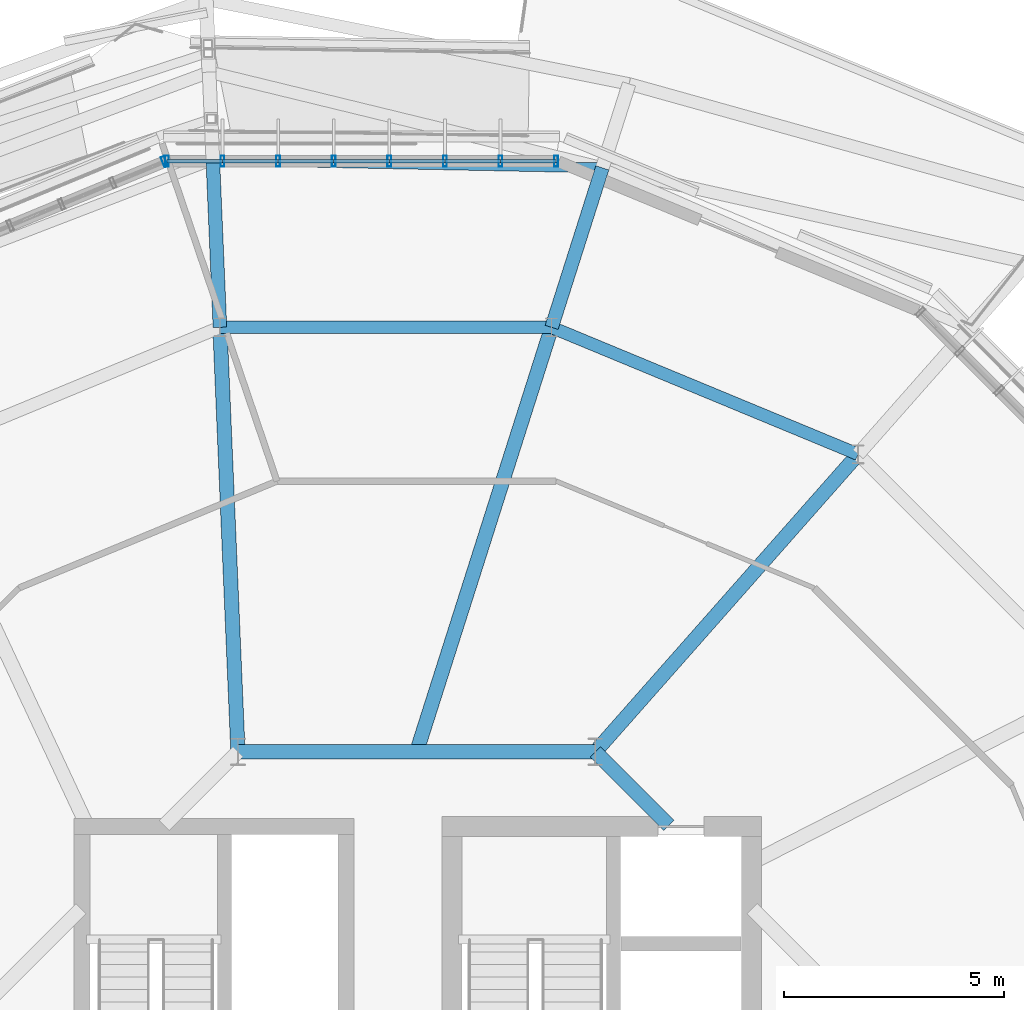
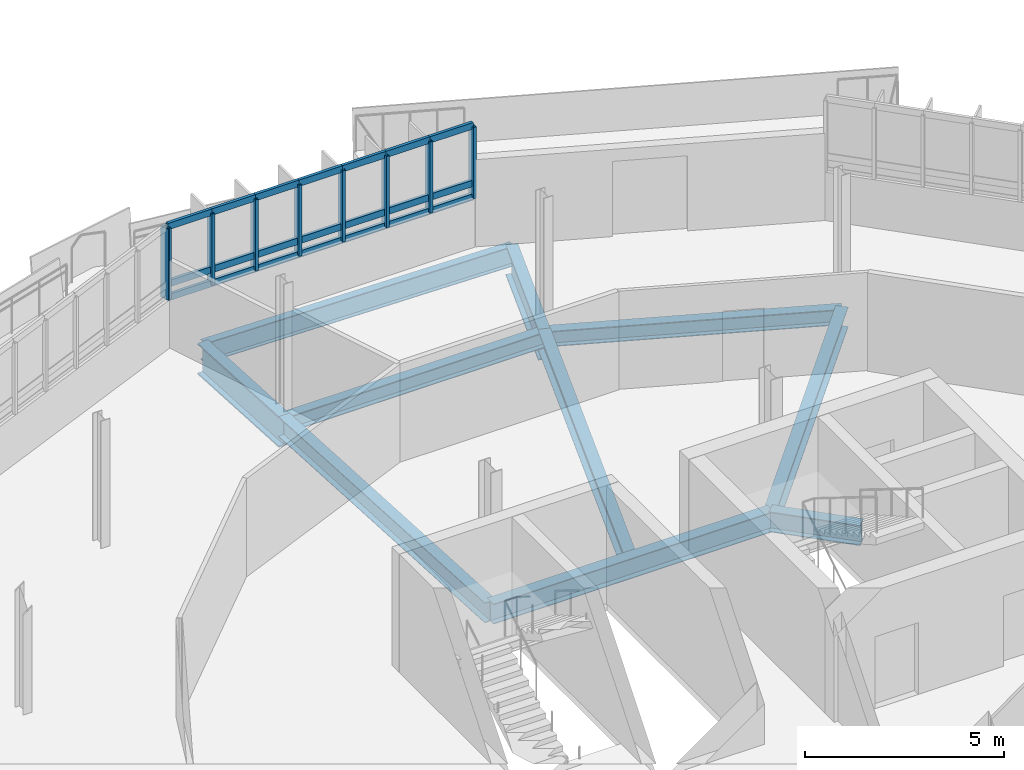
# One storey, part 27 of 61: 30 members, 10 beams, 2 elements without a shape of their own.
"""IFC4 building model written with IfcOpenShell, lengths in metres."""

from ifc_helpers import new_model, si_unit, derived_unit, direction, frame, origin, origin_2d, place, context, subcontext, project, spatial, hollow_rectangle, i_section, extrude, material, layer, layer_set, material_profile, profile_set, type_object, element, aggregate, save


model = new_model("IFC4")

# Units and contexts
model_context = context("Model", 3, precision=1e-05, world=origin(), true_north=direction((0.0, 1.0)))
body_context = subcontext(model_context, "Body", "Model", "MODEL_VIEW")
ifc_project = project(units=[si_unit("LENGTHUNIT", "METRE"), si_unit("AREAUNIT", "SQUARE_METRE"), si_unit("VOLUMEUNIT", "CUBIC_METRE"), si_unit("PLANEANGLEUNIT", "RADIAN"), si_unit("MASSUNIT", "GRAM", prefix="KILO"), derived_unit("THERMALTRANSMITTANCEUNIT", [(si_unit("MASSUNIT", "GRAM", prefix="KILO"), 1), (si_unit("TIMEUNIT", "SECOND"), -3), (si_unit("THERMODYNAMICTEMPERATUREUNIT", "KELVIN"), -1)])], contexts=[model_context])

# Site, building, storey
site_placement = place(None, origin())
site = spatial("IfcSite", under=ifc_project, at=site_placement, CompositionType="ELEMENT")
building_placement = place(site_placement, origin())
building = spatial("IfcBuilding", under=site, at=building_placement, Name="Makaiwela Harbour Ferry Terminal", CompositionType="ELEMENT")
storey_placement = place(building_placement, frame((0.0, 0.0, 13.800048828125)))
storey = spatial("IfcBuildingStorey", under=building, at=storey_placement, Name="L03", CompositionType="ELEMENT", Elevation=13.800048828125)

# Curtain wall, members
ifc_material_1 = material(Name="Marine anodised aluminium 6063-T6", Category="aluminium")
ifc_layer = layer(ifc_material_1, 0.199951171875)
ifc_layer_set = layer_set([ifc_layer], Name="Marine anodised aluminium 6063-T6")
curtain_wall_type = type_object("IfcCurtainWallType", Name="ENV-CW-05", PredefinedType="USERDEFINED", material=ifc_layer_set)
curtain_wall_1_placement = place(storey_placement, origin())
curtain_wall_1 = element("IfcCurtainWall", 1, at=curtain_wall_1_placement, inside=storey, type_object=curtain_wall_type, Name="Unitised Curtain Wall CWA-031", ObjectType="UNITIZED CURTAIN WALL", PredefinedType="USERDEFINED")
ifc_material_profile_1 = material_profile(ifc_material_1, hollow_rectangle(XDim=0.0849609375, YDim=0.25, WallThickness=0.0048828125, at=origin_2d()), Name="CWM-250X85")
ifc_profile_set_1 = profile_set([ifc_material_profile_1], Name="Marine anodised aluminium 6063-T6")
member_type_1 = type_object("IfcMemberType", Name="CW-MUL-250", PredefinedType="MULLION", material=ifc_profile_set_1)
member_1_placement = place(storey_placement, frame((40.968017578125, 90.802001953125, 1.47998046875), z_axis=(0.0, 0.0, 1.0), x_axis=(1.0, 0.0, 0.0)))
member_1 = element("IfcMember", 2, at=member_1_placement, type_object=member_type_1, Name="Curtain Wall Mullion CWA-031-1", PredefinedType="MULLION", context=body_context, shape_type="SweptSolid", body=[
    extrude(hollow_rectangle(XDim=0.0849609375, YDim=0.25, WallThickness=0.0048828125, at=origin_2d()), origin(), (0.0, 0.0, 1.0), 2.179931640625),
])
member_2_placement = place(storey_placement, frame((39.705810546875, 90.802001953125, 1.47998046875), z_axis=(0.0, 0.0, 1.0), x_axis=(1.0, 0.0, 0.0)))
member_2 = element("IfcMember", 3, at=member_2_placement, type_object=member_type_1, Name="Curtain Wall Mullion CWA-031-2", PredefinedType="MULLION", context=body_context, shape_type="SweptSolid", body=[
    extrude(hollow_rectangle(XDim=0.0849609375, YDim=0.25, WallThickness=0.0048828125, at=origin_2d()), origin(), (0.0, 0.0, 1.0), 2.179931640625),
])
member_3_placement = place(storey_placement, frame((38.443603515625, 90.802001953125, 1.47998046875), z_axis=(0.0, 0.0, 1.0), x_axis=(1.0, 0.0, 0.0)))
member_3 = element("IfcMember", 4, at=member_3_placement, type_object=member_type_1, Name="Curtain Wall Mullion CWA-031-3", PredefinedType="MULLION", context=body_context, shape_type="SweptSolid", body=[
    extrude(hollow_rectangle(XDim=0.0849609375, YDim=0.25, WallThickness=0.0048828125, at=origin_2d()), origin(), (0.0, 0.0, 1.0), 2.179931640625),
])
member_4_placement = place(storey_placement, frame((37.18115234375, 90.802001953125, 1.47998046875), z_axis=(0.0, 0.0, 1.0), x_axis=(1.0, 0.0, 0.0)))
member_4 = element("IfcMember", 5, at=member_4_placement, type_object=member_type_1, Name="Curtain Wall Mullion CWA-031-4", PredefinedType="MULLION", context=body_context, shape_type="SweptSolid", body=[
    extrude(hollow_rectangle(XDim=0.0849609375, YDim=0.25, WallThickness=0.0048828125, at=origin_2d()), origin(), (0.0, 0.0, 1.0), 2.179931640625),
])
member_5_placement = place(storey_placement, frame((35.918701171875, 90.802001953125, 1.47998046875), z_axis=(0.0, 0.0, 1.0), x_axis=(1.0, 0.0, 0.0)))
member_5 = element("IfcMember", 6, at=member_5_placement, type_object=member_type_1, Name="Curtain Wall Mullion CWA-031-5", PredefinedType="MULLION", context=body_context, shape_type="SweptSolid", body=[
    extrude(hollow_rectangle(XDim=0.0849609375, YDim=0.25, WallThickness=0.0048828125, at=origin_2d()), origin(), (0.0, 0.0, 1.0), 2.179931640625),
])
member_6_placement = place(storey_placement, frame((34.656494140625, 90.802001953125, 1.47998046875), z_axis=(0.0, 0.0, 1.0), x_axis=(1.0, 0.0, 0.0)))
member_6 = element("IfcMember", 7, at=member_6_placement, type_object=member_type_1, Name="Curtain Wall Mullion CWA-031-6", PredefinedType="MULLION", context=body_context, shape_type="SweptSolid", body=[
    extrude(hollow_rectangle(XDim=0.0849609375, YDim=0.25, WallThickness=0.0048828125, at=origin_2d()), origin(), (0.0, 0.0, 1.0), 2.179931640625),
])
member_7_placement = place(storey_placement, frame((33.394287109375, 90.802001953125, 1.47998046875), z_axis=(0.0, 0.0, 1.0), x_axis=(1.0, 0.0, 0.0)))
member_7 = element("IfcMember", 8, at=member_7_placement, type_object=member_type_1, Name="Curtain Wall Mullion CWA-031-7", PredefinedType="MULLION", context=body_context, shape_type="SweptSolid", body=[
    extrude(hollow_rectangle(XDim=0.0849609375, YDim=0.25, WallThickness=0.0048828125, at=origin_2d()), origin(), (0.0, 0.0, 1.0), 2.179931640625),
])
member_8_placement = place(storey_placement, frame((32.1318359375, 90.802001953125, 1.47998046875), z_axis=(0.0, 0.0, 1.0), x_axis=(1.0, 0.0, 0.0)))
member_8 = element("IfcMember", 9, at=member_8_placement, type_object=member_type_1, Name="Curtain Wall Mullion CWA-031-8", PredefinedType="MULLION", context=body_context, shape_type="SweptSolid", body=[
    extrude(hollow_rectangle(XDim=0.0849609375, YDim=0.25, WallThickness=0.0048828125, at=origin_2d()), origin(), (0.0, 0.0, 1.0), 2.179931640625),
])

# Curtain wall, member
curtain_wall_2_placement = place(storey_placement, origin())
curtain_wall_2 = element("IfcCurtainWall", 10, at=curtain_wall_2_placement, inside=storey, type_object=curtain_wall_type, Name="Unitised Curtain Wall CWA-032", ObjectType="UNITIZED CURTAIN WALL", PredefinedType="USERDEFINED")
member_9_placement = place(storey_placement, frame((32.07421875, 90.790283203125, 1.47998046875), z_axis=(0.0, 0.0, 1.0), x_axis=(0.923879532511, 0.382683432365, 0.0)))
member_9 = element("IfcMember", 11, at=member_9_placement, type_object=member_type_1, Name="Curtain Wall Mullion CWA-032-1", PredefinedType="MULLION", context=body_context, shape_type="SweptSolid", body=[
    extrude(hollow_rectangle(XDim=0.0849609375, YDim=0.25, WallThickness=0.0048828125, at=origin_2d()), origin(), (0.0, 0.0, 1.0), 2.179931640625),
])
aggregate(curtain_wall_2, [member_9])

# Member
ifc_material_profile_2 = material_profile(ifc_material_1, hollow_rectangle(XDim=0.0849609375, YDim=0.199951171875, WallThickness=0.0048828125, at=origin_2d()), Name="CWT-200X85")
ifc_profile_set_2 = profile_set([ifc_material_profile_2], Name="Marine anodised aluminium 6063-T6")
member_type_2 = type_object("IfcMemberType", Name="CW-TRN-200", PredefinedType="USERDEFINED", material=ifc_profile_set_2)
member_10_placement = place(storey_placement, frame((40.968017578125, 90.802001953125, 1.47998046875), z_axis=(-1.0, 0.0, 0.0), x_axis=(0.0, -1.0, 0.0)))
member_10 = element("IfcMember", 12, at=member_10_placement, type_object=member_type_2, Name="Curtain Wall Transom CWA-031-1-1", ObjectType="TRANSOM", PredefinedType="USERDEFINED", context=body_context, shape_type="SweptSolid", body=[
    extrude(hollow_rectangle(XDim=0.0849609375, YDim=0.199951171875, WallThickness=0.0048828125, at=origin_2d()), origin(), (0.0, 0.0, 1.0), 1.26220703125),
])

member_11_placement = place(storey_placement, frame((40.968017578125, 90.802001953125, 1.89990234375), z_axis=(-1.0, 0.0, 0.0), x_axis=(0.0, -1.0, 0.0)))
member_11 = element("IfcMember", 13, at=member_11_placement, type_object=member_type_2, Name="Curtain Wall Transom CWA-031-1-2", ObjectType="TRANSOM", PredefinedType="USERDEFINED", context=body_context, shape_type="SweptSolid", body=[
    extrude(hollow_rectangle(XDim=0.0849609375, YDim=0.199951171875, WallThickness=0.0048828125, at=origin_2d()), origin(), (0.0, 0.0, 1.0), 1.26220703125),
])

member_12_placement = place(storey_placement, frame((40.968017578125, 90.802001953125, 3.659912109375), z_axis=(-1.0, 0.0, 0.0), x_axis=(0.0, -1.0, 0.0)))
member_12 = element("IfcMember", 14, at=member_12_placement, type_object=member_type_2, Name="Curtain Wall Transom CWA-031-1-3", ObjectType="TRANSOM", PredefinedType="USERDEFINED", context=body_context, shape_type="SweptSolid", body=[
    extrude(hollow_rectangle(XDim=0.0849609375, YDim=0.199951171875, WallThickness=0.0048828125, at=origin_2d()), origin(), (0.0, 0.0, 1.0), 1.26220703125),
])

member_13_placement = place(storey_placement, frame((39.705810546875, 90.802001953125, 1.47998046875), z_axis=(-1.0, 0.0, 0.0), x_axis=(0.0, -1.0, 0.0)))
member_13 = element("IfcMember", 15, at=member_13_placement, type_object=member_type_2, Name="Curtain Wall Transom CWA-031-2-1", ObjectType="TRANSOM", PredefinedType="USERDEFINED", context=body_context, shape_type="SweptSolid", body=[
    extrude(hollow_rectangle(XDim=0.0849609375, YDim=0.199951171875, WallThickness=0.0048828125, at=origin_2d()), origin(), (0.0, 0.0, 1.0), 1.26220703125),
])

member_14_placement = place(storey_placement, frame((39.705810546875, 90.802001953125, 1.89990234375), z_axis=(-1.0, 0.0, 0.0), x_axis=(0.0, -1.0, 0.0)))
member_14 = element("IfcMember", 16, at=member_14_placement, type_object=member_type_2, Name="Curtain Wall Transom CWA-031-2-2", ObjectType="TRANSOM", PredefinedType="USERDEFINED", context=body_context, shape_type="SweptSolid", body=[
    extrude(hollow_rectangle(XDim=0.0849609375, YDim=0.199951171875, WallThickness=0.0048828125, at=origin_2d()), origin(), (0.0, 0.0, 1.0), 1.26220703125),
])

member_15_placement = place(storey_placement, frame((39.705810546875, 90.802001953125, 3.659912109375), z_axis=(-1.0, 0.0, 0.0), x_axis=(0.0, -1.0, 0.0)))
member_15 = element("IfcMember", 17, at=member_15_placement, type_object=member_type_2, Name="Curtain Wall Transom CWA-031-2-3", ObjectType="TRANSOM", PredefinedType="USERDEFINED", context=body_context, shape_type="SweptSolid", body=[
    extrude(hollow_rectangle(XDim=0.0849609375, YDim=0.199951171875, WallThickness=0.0048828125, at=origin_2d()), origin(), (0.0, 0.0, 1.0), 1.26220703125),
])

member_16_placement = place(storey_placement, frame((38.443603515625, 90.802001953125, 1.47998046875), z_axis=(-1.0, 0.0, 0.0), x_axis=(0.0, -1.0, 0.0)))
member_16 = element("IfcMember", 18, at=member_16_placement, type_object=member_type_2, Name="Curtain Wall Transom CWA-031-3-1", ObjectType="TRANSOM", PredefinedType="USERDEFINED", context=body_context, shape_type="SweptSolid", body=[
    extrude(hollow_rectangle(XDim=0.0849609375, YDim=0.199951171875, WallThickness=0.0048828125, at=origin_2d()), origin(), (0.0, 0.0, 1.0), 1.262451171875),
])

member_17_placement = place(storey_placement, frame((38.443603515625, 90.802001953125, 1.89990234375), z_axis=(-1.0, 0.0, 0.0), x_axis=(0.0, -1.0, 0.0)))
member_17 = element("IfcMember", 19, at=member_17_placement, type_object=member_type_2, Name="Curtain Wall Transom CWA-031-3-2", ObjectType="TRANSOM", PredefinedType="USERDEFINED", context=body_context, shape_type="SweptSolid", body=[
    extrude(hollow_rectangle(XDim=0.0849609375, YDim=0.199951171875, WallThickness=0.0048828125, at=origin_2d()), origin(), (0.0, 0.0, 1.0), 1.262451171875),
])

member_18_placement = place(storey_placement, frame((38.443603515625, 90.802001953125, 3.659912109375), z_axis=(-1.0, 0.0, 0.0), x_axis=(0.0, -1.0, 0.0)))
member_18 = element("IfcMember", 20, at=member_18_placement, type_object=member_type_2, Name="Curtain Wall Transom CWA-031-3-3", ObjectType="TRANSOM", PredefinedType="USERDEFINED", context=body_context, shape_type="SweptSolid", body=[
    extrude(hollow_rectangle(XDim=0.0849609375, YDim=0.199951171875, WallThickness=0.0048828125, at=origin_2d()), origin(), (0.0, 0.0, 1.0), 1.262451171875),
])

member_19_placement = place(storey_placement, frame((37.18115234375, 90.802001953125, 1.47998046875), z_axis=(-1.0, 0.0, 0.0), x_axis=(0.0, -1.0, 0.0)))
member_19 = element("IfcMember", 21, at=member_19_placement, type_object=member_type_2, Name="Curtain Wall Transom CWA-031-4-1", ObjectType="TRANSOM", PredefinedType="USERDEFINED", context=body_context, shape_type="SweptSolid", body=[
    extrude(hollow_rectangle(XDim=0.0849609375, YDim=0.199951171875, WallThickness=0.0048828125, at=origin_2d()), origin(), (0.0, 0.0, 1.0), 1.262451171875),
])

member_20_placement = place(storey_placement, frame((37.18115234375, 90.802001953125, 1.89990234375), z_axis=(-1.0, 0.0, 0.0), x_axis=(0.0, -1.0, 0.0)))
member_20 = element("IfcMember", 22, at=member_20_placement, type_object=member_type_2, Name="Curtain Wall Transom CWA-031-4-2", ObjectType="TRANSOM", PredefinedType="USERDEFINED", context=body_context, shape_type="SweptSolid", body=[
    extrude(hollow_rectangle(XDim=0.0849609375, YDim=0.199951171875, WallThickness=0.0048828125, at=origin_2d()), origin(), (0.0, 0.0, 1.0), 1.262451171875),
])

member_21_placement = place(storey_placement, frame((37.18115234375, 90.802001953125, 3.659912109375), z_axis=(-1.0, 0.0, 0.0), x_axis=(0.0, -1.0, 0.0)))
member_21 = element("IfcMember", 23, at=member_21_placement, type_object=member_type_2, Name="Curtain Wall Transom CWA-031-4-3", ObjectType="TRANSOM", PredefinedType="USERDEFINED", context=body_context, shape_type="SweptSolid", body=[
    extrude(hollow_rectangle(XDim=0.0849609375, YDim=0.199951171875, WallThickness=0.0048828125, at=origin_2d()), origin(), (0.0, 0.0, 1.0), 1.262451171875),
])

member_22_placement = place(storey_placement, frame((35.918701171875, 90.802001953125, 1.47998046875), z_axis=(-1.0, 0.0, 0.0), x_axis=(0.0, -1.0, 0.0)))
member_22 = element("IfcMember", 24, at=member_22_placement, type_object=member_type_2, Name="Curtain Wall Transom CWA-031-5-1", ObjectType="TRANSOM", PredefinedType="USERDEFINED", context=body_context, shape_type="SweptSolid", body=[
    extrude(hollow_rectangle(XDim=0.0849609375, YDim=0.199951171875, WallThickness=0.0048828125, at=origin_2d()), origin(), (0.0, 0.0, 1.0), 1.26220703125),
])

member_23_placement = place(storey_placement, frame((35.918701171875, 90.802001953125, 1.89990234375), z_axis=(-1.0, 0.0, 0.0), x_axis=(0.0, -1.0, 0.0)))
member_23 = element("IfcMember", 25, at=member_23_placement, type_object=member_type_2, Name="Curtain Wall Transom CWA-031-5-2", ObjectType="TRANSOM", PredefinedType="USERDEFINED", context=body_context, shape_type="SweptSolid", body=[
    extrude(hollow_rectangle(XDim=0.0849609375, YDim=0.199951171875, WallThickness=0.0048828125, at=origin_2d()), origin(), (0.0, 0.0, 1.0), 1.26220703125),
])

member_24_placement = place(storey_placement, frame((35.918701171875, 90.802001953125, 3.659912109375), z_axis=(-1.0, 0.0, 0.0), x_axis=(0.0, -1.0, 0.0)))
member_24 = element("IfcMember", 26, at=member_24_placement, type_object=member_type_2, Name="Curtain Wall Transom CWA-031-5-3", ObjectType="TRANSOM", PredefinedType="USERDEFINED", context=body_context, shape_type="SweptSolid", body=[
    extrude(hollow_rectangle(XDim=0.0849609375, YDim=0.199951171875, WallThickness=0.0048828125, at=origin_2d()), origin(), (0.0, 0.0, 1.0), 1.26220703125),
])

member_25_placement = place(storey_placement, frame((34.656494140625, 90.802001953125, 1.47998046875), z_axis=(-1.0, 0.0, 0.0), x_axis=(0.0, -1.0, 0.0)))
member_25 = element("IfcMember", 27, at=member_25_placement, type_object=member_type_2, Name="Curtain Wall Transom CWA-031-6-1", ObjectType="TRANSOM", PredefinedType="USERDEFINED", context=body_context, shape_type="SweptSolid", body=[
    extrude(hollow_rectangle(XDim=0.0849609375, YDim=0.199951171875, WallThickness=0.0048828125, at=origin_2d()), origin(), (0.0, 0.0, 1.0), 1.26220703125),
])

member_26_placement = place(storey_placement, frame((34.656494140625, 90.802001953125, 1.89990234375), z_axis=(-1.0, 0.0, 0.0), x_axis=(0.0, -1.0, 0.0)))
member_26 = element("IfcMember", 28, at=member_26_placement, type_object=member_type_2, Name="Curtain Wall Transom CWA-031-6-2", ObjectType="TRANSOM", PredefinedType="USERDEFINED", context=body_context, shape_type="SweptSolid", body=[
    extrude(hollow_rectangle(XDim=0.0849609375, YDim=0.199951171875, WallThickness=0.0048828125, at=origin_2d()), origin(), (0.0, 0.0, 1.0), 1.26220703125),
])

member_27_placement = place(storey_placement, frame((34.656494140625, 90.802001953125, 3.659912109375), z_axis=(-1.0, 0.0, 0.0), x_axis=(0.0, -1.0, 0.0)))
member_27 = element("IfcMember", 29, at=member_27_placement, type_object=member_type_2, Name="Curtain Wall Transom CWA-031-6-3", ObjectType="TRANSOM", PredefinedType="USERDEFINED", context=body_context, shape_type="SweptSolid", body=[
    extrude(hollow_rectangle(XDim=0.0849609375, YDim=0.199951171875, WallThickness=0.0048828125, at=origin_2d()), origin(), (0.0, 0.0, 1.0), 1.26220703125),
])

member_28_placement = place(storey_placement, frame((33.394287109375, 90.802001953125, 1.47998046875), z_axis=(-1.0, 0.0, 0.0), x_axis=(0.0, -1.0, 0.0)))
member_28 = element("IfcMember", 30, at=member_28_placement, type_object=member_type_2, Name="Curtain Wall Transom CWA-031-7-1", ObjectType="TRANSOM", PredefinedType="USERDEFINED", context=body_context, shape_type="SweptSolid", body=[
    extrude(hollow_rectangle(XDim=0.0849609375, YDim=0.199951171875, WallThickness=0.0048828125, at=origin_2d()), origin(), (0.0, 0.0, 1.0), 1.262451171875),
])

member_29_placement = place(storey_placement, frame((33.394287109375, 90.802001953125, 1.89990234375), z_axis=(-1.0, 0.0, 0.0), x_axis=(0.0, -1.0, 0.0)))
member_29 = element("IfcMember", 31, at=member_29_placement, type_object=member_type_2, Name="Curtain Wall Transom CWA-031-7-2", ObjectType="TRANSOM", PredefinedType="USERDEFINED", context=body_context, shape_type="SweptSolid", body=[
    extrude(hollow_rectangle(XDim=0.0849609375, YDim=0.199951171875, WallThickness=0.0048828125, at=origin_2d()), origin(), (0.0, 0.0, 1.0), 1.262451171875),
])

member_30_placement = place(storey_placement, frame((33.394287109375, 90.802001953125, 3.659912109375), z_axis=(-1.0, 0.0, 0.0), x_axis=(0.0, -1.0, 0.0)))
member_30 = element("IfcMember", 32, at=member_30_placement, type_object=member_type_2, Name="Curtain Wall Transom CWA-031-7-3", ObjectType="TRANSOM", PredefinedType="USERDEFINED", context=body_context, shape_type="SweptSolid", body=[
    extrude(hollow_rectangle(XDim=0.0849609375, YDim=0.199951171875, WallThickness=0.0048828125, at=origin_2d()), origin(), (0.0, 0.0, 1.0), 1.262451171875),
])

aggregate(curtain_wall_1, [member_1, member_2, member_3, member_4, member_5, member_6, member_7, member_8, member_10, member_11, member_12, member_13, member_14, member_15, member_16, member_17, member_18, member_19, member_20, member_21, member_22, member_23, member_24, member_25, member_26, member_27, member_28, member_29, member_30])

# Beams
ifc_material_2 = material(Name="Steel ASTM A992 Grade 50", Category="steel")
ifc_material_profile_3 = material_profile(ifc_material_2, i_section(OverallWidth=0.324951171875, OverallDepth=0.615966796875, WebThickness=0.013916015625, FlangeThickness=0.021484375, at=origin_2d()), Name="W24X117")
ifc_profile_set_3 = profile_set([ifc_material_profile_3], Name="Steel ASTM A992 Grade 50")
beam_type_1 = type_object("IfcBeamType", Name="STR-GRD-W24X117", PredefinedType="USERDEFINED", material=ifc_profile_set_3)
beam_1_placement = place(storey_placement, frame((43.529541015625, 75.719970703125, -0.56298828125), z_axis=(-0.707106781187, 0.707106781187, 0.0), x_axis=(-0.707106781187, -0.707106781187, 0.0)))
element("IfcBeam", 33, at=beam_1_placement, inside=storey, type_object=beam_type_1, Name="Drum inner ring girder 245", ObjectType="GIRDER", PredefinedType="USERDEFINED", context=body_context, shape_type="SweptSolid", body=[
    extrude(i_section(OverallWidth=0.324951171875, OverallDepth=0.615966796875, WebThickness=0.013916015625, FlangeThickness=0.021484375, at=origin_2d()), origin(), (0.0, 0.0, 1.0), 2.3662109375),
])
beam_2_placement = place(storey_placement, frame((41.8564453125, 77.39306640625, -0.56298828125), z_axis=(-1.0, 0.0, 0.0), x_axis=(0.0, -1.0, 0.0)))
element("IfcBeam", 34, at=beam_2_placement, inside=storey, type_object=beam_type_1, Name="Drum inner ring girder 246", ObjectType="GIRDER", PredefinedType="USERDEFINED", context=body_context, shape_type="SweptSolid", body=[
    extrude(i_section(OverallWidth=0.324951171875, OverallDepth=0.615966796875, WebThickness=0.013916015625, FlangeThickness=0.021484375, at=origin_2d()), origin(), (0.0, 0.0, 1.0), 8.11279296875),
])
beam_3_placement = place(storey_placement, frame((41.8564453125, 77.39306640625, -0.56298828125), z_axis=(0.662014887938, 0.749490685832, 0.0), x_axis=(-0.749490685832, 0.662014887938, 0.0)))
element("IfcBeam", 35, at=beam_3_placement, inside=storey, type_object=beam_type_1, Name="Drum radial girder 278", ObjectType="GIRDER", PredefinedType="USERDEFINED", context=body_context, shape_type="SweptSolid", body=[
    extrude(i_section(OverallWidth=0.324951171875, OverallDepth=0.615966796875, WebThickness=0.013916015625, FlangeThickness=0.021484375, at=origin_2d()), origin(), (0.0, 0.0, 1.0), 9.011962890625),
])
beam_4_placement = place(storey_placement, frame((37.800048828125, 77.39306640625, -0.56298828125), z_axis=(0.303123932236, 0.952951143399, 0.0), x_axis=(-0.952951143399, 0.303123932236, 0.0)))
element("IfcBeam", 36, at=beam_4_placement, inside=storey, type_object=beam_type_1, Name="Drum radial girder 282", ObjectType="GIRDER", PredefinedType="USERDEFINED", context=body_context, shape_type="SweptSolid", body=[
    extrude(i_section(OverallWidth=0.324951171875, OverallDepth=0.615966796875, WebThickness=0.013916015625, FlangeThickness=0.021484375, at=origin_2d()), origin(), (0.0, 0.0, 1.0), 10.112060546875),
])
beam_5_placement = place(storey_placement, frame((33.74365234375, 77.39306640625, -0.56298828125), z_axis=(-0.042399132515, 0.999100752458, 0.0), x_axis=(-0.999100752458, -0.042399132515, 0.0)))
element("IfcBeam", 37, at=beam_5_placement, inside=storey, type_object=beam_type_1, Name="Drum radial girder 285", ObjectType="GIRDER", PredefinedType="USERDEFINED", context=body_context, shape_type="SweptSolid", body=[
    extrude(i_section(OverallWidth=0.324951171875, OverallDepth=0.615966796875, WebThickness=0.013916015625, FlangeThickness=0.021484375, at=origin_2d()), origin(), (0.0, 0.0, 1.0), 9.64501953125),
])
ifc_material_profile_4 = material_profile(ifc_material_2, i_section(OverallWidth=0.22900390625, OverallDepth=0.612060546875, WebThickness=0.011962890625, FlangeThickness=0.01953125, at=origin_2d()), Name="W24X84")
ifc_profile_set_4 = profile_set([ifc_material_profile_4], Name="Steel ASTM A992 Grade 50")
beam_type_2 = type_object("IfcBeamType", Name="STR-GRD-W24X84", PredefinedType="USERDEFINED", material=ifc_profile_set_4)
beam_6_placement = place(storey_placement, frame((42.01708984375, 90.650390625, -0.56103515625), z_axis=(-0.999803608761, 0.019817767471, 0.0), x_axis=(-0.019817767471, -0.999803608761, 0.0)))
element("IfcBeam", 38, at=beam_6_placement, inside=storey, type_object=beam_type_2, Name="Drum overhang tie girder 334", ObjectType="GIRDER", PredefinedType="USERDEFINED", context=body_context, shape_type="SweptSolid", body=[
    extrude(i_section(OverallWidth=0.22900390625, OverallDepth=0.612060546875, WebThickness=0.011962890625, FlangeThickness=0.01953125, at=origin_2d()), origin(), (0.0, 0.0, 1.0), 8.84521484375),
])
ifc_material_profile_5 = material_profile(ifc_material_2, i_section(OverallWidth=0.31005859375, OverallDepth=0.949951171875, WebThickness=0.0244140625, FlangeThickness=0.0439453125, at=origin_2d()), Name="W36X256")
ifc_profile_set_5 = profile_set([ifc_material_profile_5], Name="Steel ASTM A992 Grade 50")
beam_type_3 = type_object("IfcBeamType", Name="STR-GRD-W36X256", PredefinedType="USERDEFINED", material=ifc_profile_set_5)
for number, where, z_axis, x_axis, name in (
    (39, (40.865234375, 87.029296875, -0.72998046875), (0.303129401711, 0.952949403598, 0.0), (-0.952949403598, 0.303129401711, 0.0), "Drum radial overhang 283"),
    (40, (33.334716796875, 87.029296875, -0.72998046875), (-0.042405550922, 0.999100480057, 0.0), (-0.999100480057, -0.042405550922, 0.0), "Drum radial overhang 286"),
):
    element("IfcBeam", number, at=place(storey_placement, frame(where, z_axis=z_axis, x_axis=x_axis)), inside=storey, type_object=beam_type_3, Name=name, ObjectType="GIRDER", PredefinedType="USERDEFINED", context=body_context, shape_type="SweptSolid", body=[
        extrude(i_section(OverallWidth=0.31005859375, OverallDepth=0.949951171875, WebThickness=0.0244140625, FlangeThickness=0.0439453125, at=origin_2d()), origin(), (0.0, 0.0, 1.0), 3.7998046875),
    ])
ifc_material_profile_6 = material_profile(ifc_material_2, i_section(OverallWidth=0.283935546875, OverallDepth=0.47607421875, WebThickness=0.014892578125, FlangeThickness=0.02392578125, at=origin_2d()), Name="W18X106")
ifc_profile_set_6 = profile_set([ifc_material_profile_6], Name="Steel ASTM A992 Grade 50")
beam_type_4 = type_object("IfcBeamType", Name="STR-SPN-W18X106", PredefinedType="SPANDREL", material=ifc_profile_set_6)
for number, where, z_axis, x_axis, name in (
    (41, (47.822509765625, 84.1474609375, -0.4931640625), (-0.923877743092, 0.382687752376, 0.0), (-0.382687752376, -0.923877743092, 0.0), "Drum column ring girder 257"),
    (42, (40.865234375, 87.029296875, -0.4931640625), (-1.0, 0.0, 0.0), (0.0, -1.0, 0.0), "Drum column ring girder 258"),
):
    element("IfcBeam", number, at=place(storey_placement, frame(where, z_axis=z_axis, x_axis=x_axis)), inside=storey, type_object=beam_type_4, Name=name, PredefinedType="SPANDREL", context=body_context, shape_type="SweptSolid", body=[
        extrude(i_section(OverallWidth=0.283935546875, OverallDepth=0.47607421875, WebThickness=0.014892578125, FlangeThickness=0.02392578125, at=origin_2d()), origin(), (0.0, 0.0, 1.0), 7.530517578125),
    ])

save(model, "model.ifc")
